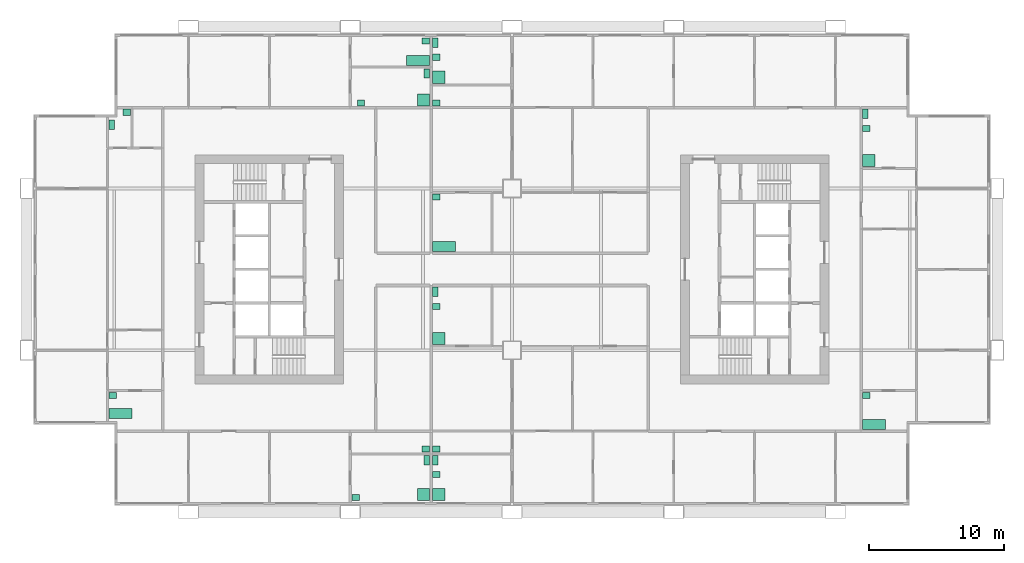
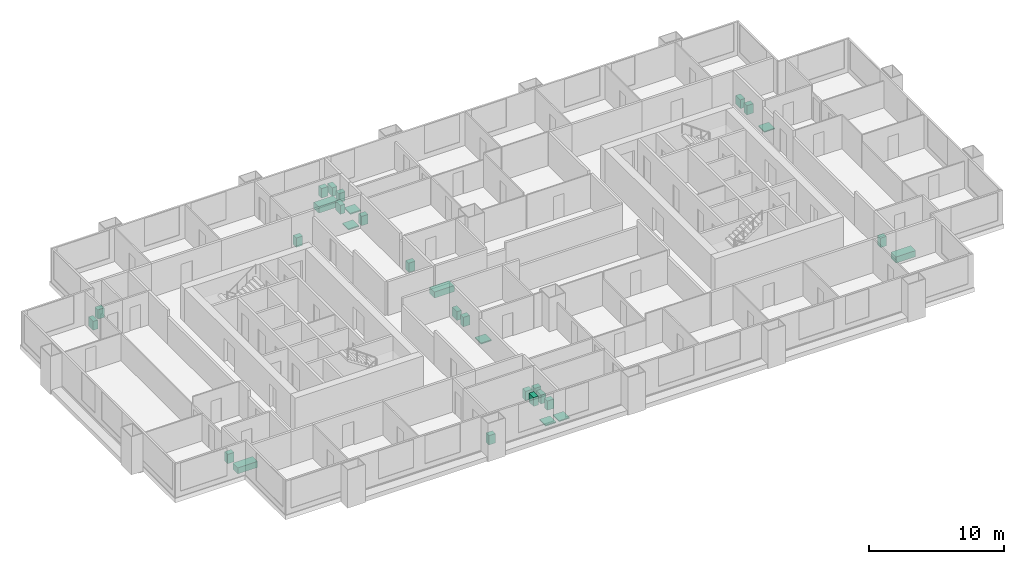
# One storey, part 11 of 11: 31 sanitary terminals.
"""IFC4 building model written with IfcOpenShell, lengths in metres."""

from ifc_helpers import new_model, si_unit, direction, frame, origin, origin_2d, place, context, subcontext, project, spatial, rectangle, extrude, material, type_object, element, save


model = new_model("IFC4")

# Units and contexts
model_context = context("Model", 3, precision=1e-05, world=origin(), true_north=direction((0.0, 1.0)))
body_context = subcontext(model_context, "Body", "Model", "MODEL_VIEW")
ifc_project = project(units=[si_unit("LENGTHUNIT", "METRE"), si_unit("AREAUNIT", "SQUARE_METRE"), si_unit("VOLUMEUNIT", "CUBIC_METRE"), si_unit("PLANEANGLEUNIT", "RADIAN"), si_unit("MASSUNIT", "GRAM", prefix="KILO")], contexts=[model_context])

# Site, building, storey
site_placement = place(None, origin())
site = spatial("IfcSite", under=ifc_project, at=site_placement, CompositionType="ELEMENT")
building_placement = place(site_placement, origin())
building = spatial("IfcBuilding", under=site, at=building_placement, Name="Kitamizu Gate Tower and Museum", CompositionType="ELEMENT")
storey_placement = place(building_placement, frame((0.0, 0.0, 110.39990234375)))
storey = spatial("IfcBuildingStorey", under=building, at=storey_placement, Name="L28", CompositionType="ELEMENT", Elevation=110.39990234375)

# Sanitary terminals
ifc_material_1 = material(Name="Acrylic")
sanitary_terminal_type_1 = type_object("IfcSanitaryTerminalType", Name="Bath", PredefinedType="BATH", material=ifc_material_1)
for number, where, z_axis, x_axis, name in (
    (1, (6.969970703125, 19.294921875, 0.0009765625), (0.0, 0.0, 1.0), (1.0, 0.0, 0.0), "Bath Bathroom 28C"),
    (2, (62.8701171875, 18.4951171875, 0.0009765625), (0.0, 0.0, 1.0), (1.0, 0.0, 0.0), "Bath Bathroom and WC 28E"),
    (3, (29.030029296875, 45.4951171875, 0.0009765625), (0.0, 0.0, 1.0), (1.0, 0.0, 0.0), "Bath Bathroom 28F"),
    (4, (30.969970703125, 31.695068359375, 0.0009765625), (0.0, 0.0, 1.0), (1.0, 0.0, 0.0), "Bath Bathroom 28H"),
):
    element("IfcSanitaryTerminal", number, at=place(storey_placement, frame(where, z_axis=z_axis, x_axis=x_axis)), inside=storey, type_object=sanitary_terminal_type_1, Name=name, PredefinedType="BATH", context=body_context, shape_type="SweptSolid", body=[
        extrude(rectangle(XDim=1.699951171875, YDim=0.75, at=origin_2d()), origin(), (0.0, 0.0, 1.0), 0.550048828125),
    ])
ifc_material_2 = material(Name="Acrylic")
sanitary_terminal_type_2 = type_object("IfcSanitaryTerminalType", Name="Shower tray", PredefinedType="SHOWER", material=ifc_material_2)
for number, where, z_axis, x_axis, name in (
    (5, (29.429931640625, 13.2900390625, 0.0009765625), (0.0, 0.0, 1.0), (1.0, 0.0, 0.0), "Shower tray En-suite bathroom and WC 28A"),
    (6, (30.570068359375, 13.2900390625, 0.0009765625), (0.0, 0.0, 1.0), (1.0, 0.0, 0.0), "Shower tray En-suite bathroom and WC 28D"),
    (7, (30.570068359375, 24.8701171875, 0.0009765625), (0.0, 0.0, 1.0), (1.0, 0.0, 0.0), "Shower tray En-suite bathroom 28D"),
    (8, (62.469970703125, 38.070068359375, 0.0009765625), (0.0, 0.0, 1.0), (1.0, 0.0, 0.0), "Shower tray En-suite bathroom 28E"),
    (9, (29.429931640625, 42.570068359375, 0.0009765625), (0.0, 0.0, 1.0), (1.0, 0.0, 0.0), "Shower tray En-suite bathroom and WC 28F"),
    (10, (30.570068359375, 44.25, 0.0009765625), (0.0, 0.0, 1.0), (1.0, 0.0, 0.0), "Shower tray En-suite bathroom and WC 28H"),
):
    element("IfcSanitaryTerminal", number, at=place(storey_placement, frame(where, z_axis=z_axis, x_axis=x_axis)), inside=storey, type_object=sanitary_terminal_type_2, Name=name, PredefinedType="SHOWER", context=body_context, shape_type="SweptSolid", body=[
        extrude(rectangle(XDim=0.89990234375, YDim=0.89990234375, at=origin_2d()), origin(), (0.0, 0.0, 1.0), 0.10009765625),
    ])
ifc_material_3 = material(Name="Vitreous china")
sanitary_terminal_type_3 = type_object("IfcSanitaryTerminalType", Name="Wash hand basin", PredefinedType="WASHHANDBASIN", material=ifc_material_3)
for number, where, z_axis, x_axis, name in (
    (11, (24.39501953125, 13.06494140625, 0.0009765625), (0.0, 0.0, 1.0), (1.0, 0.0, 0.0), "Wash hand basin En-suite bathroom and WC 28A"),
    (12, (29.60498046875, 16.6650390625, 0.0009765625), (0.0, 0.0, 1.0), (1.0, 0.0, 0.0), "Wash hand basin Wash room 28A"),
    (13, (6.39501953125, 20.655029296875, 0.0009765625), (0.0, 0.0, 1.0), (1.0, 0.0, 0.0), "Wash hand basin Bathroom 28C"),
    (14, (7.405029296875, 41.655029296875, 0.0009765625), (0.0, 0.0, 1.0), (1.0, 0.0, 0.0), "Wash hand basin WC 28C"),
    (15, (30.39501953125, 14.77490234375, 0.0009765625), (0.0, 0.0, 1.0), (1.0, 0.0, 0.0), "Wash hand basin En-suite bathroom and WC 28D"),
    (16, (30.39501953125, 16.6650390625, 0.0009765625), (0.0, 0.0, 1.0), (1.0, 0.0, 0.0), "Wash hand basin Wash room 28D"),
    (17, (30.39501953125, 27.2548828125, 0.0009765625), (0.0, 0.0, 1.0), (1.0, 0.0, 0.0), "Wash hand basin En-suite bathroom 28D"),
    (18, (62.294921875, 20.655029296875, 0.0009765625), (0.0, 0.0, 1.0), (1.0, 0.0, 0.0), "Wash hand basin Bathroom and WC 28E"),
    (19, (62.294921875, 40.455078125, 0.0009765625), (0.0, 0.0, 1.0), (1.0, 0.0, 0.0), "Wash hand basin En-suite bathroom 28E"),
    (20, (24.794921875, 42.344970703125, 0.0009765625), (0.0, 0.0, 1.0), (1.0, 0.0, 0.0), "Wash hand basin En-suite bathroom and WC 28F"),
    (21, (29.60498046875, 46.93505859375, 0.0009765625), (0.0, 0.0, 1.0), (1.0, 0.0, 0.0), "Wash hand basin Bathroom 28F"),
    (22, (30.39501953125, 45.735107421875, 0.0009765625), (0.0, 0.0, 1.0), (1.0, 0.0, 0.0), "Wash hand basin En-suite bathroom and WC 28H"),
    (23, (30.39501953125, 42.344970703125, 0.0009765625), (0.0, 0.0, 1.0), (1.0, 0.0, 0.0), "Wash hand basin Wash room 28H"),
    (24, (30.39501953125, 35.35498046875, 0.0009765625), (0.0, 0.0, 1.0), (1.0, 0.0, 0.0), "Wash hand basin Bathroom 28H"),
):
    element("IfcSanitaryTerminal", number, at=place(storey_placement, frame(where, z_axis=z_axis, x_axis=x_axis)), inside=storey, type_object=sanitary_terminal_type_3, Name=name, PredefinedType="WASHHANDBASIN", context=body_context, shape_type="SweptSolid", body=[
        extrude(rectangle(XDim=0.550048828125, YDim=0.449951171875, at=origin_2d()), origin(), (0.0, 0.0, 1.0), 0.85009765625),
    ])
ifc_material_4 = material(Name="Vitreous china")
sanitary_terminal_type_4 = type_object("IfcSanitaryTerminalType", Name="Water closet", PredefinedType="TOILETPAN", material=ifc_material_4)
for number, where, z_axis, x_axis, name in (
    (25, (29.679931640625, 15.85009765625, 0.0009765625), (0.0, 0.0, 1.0), (1.0, 0.0, 0.0), "Water closet En-suite bathroom and WC 28A"),
    (26, (6.320068359375, 40.72998046875, 0.0009765625), (0.0, 0.0, 1.0), (1.0, 0.0, 0.0), "Water closet WC 28C"),
    (27, (30.320068359375, 15.85009765625, 0.0009765625), (0.0, 0.0, 1.0), (1.0, 0.0, 0.0), "Water closet En-suite bathroom and WC 28D"),
    (28, (30.320068359375, 28.330078125, 0.0009765625), (0.0, 0.0, 1.0), (1.0, 0.0, 0.0), "Water closet En-suite bathroom 28D"),
    (29, (62.219970703125, 41.530029296875, 0.0009765625), (0.0, 0.0, 1.0), (1.0, 0.0, 0.0), "Water closet En-suite bathroom 28E"),
    (30, (29.679931640625, 44.530029296875, 0.0009765625), (0.0, 0.0, 1.0), (1.0, 0.0, 0.0), "Water closet En-suite bathroom and WC 28F"),
    (31, (30.320068359375, 46.81005859375, 0.0009765625), (0.0, 0.0, 1.0), (1.0, 0.0, 0.0), "Water closet En-suite bathroom and WC 28H"),
):
    element("IfcSanitaryTerminal", number, at=place(storey_placement, frame(where, z_axis=z_axis, x_axis=x_axis)), inside=storey, type_object=sanitary_terminal_type_4, Name=name, PredefinedType="TOILETPAN", context=body_context, shape_type="SweptSolid", body=[
        extrude(rectangle(XDim=0.39990234375, YDim=0.699951171875, at=origin_2d()), origin(), (0.0, 0.0, 1.0), 0.800048828125),
    ])

save(model, "model.ifc")
